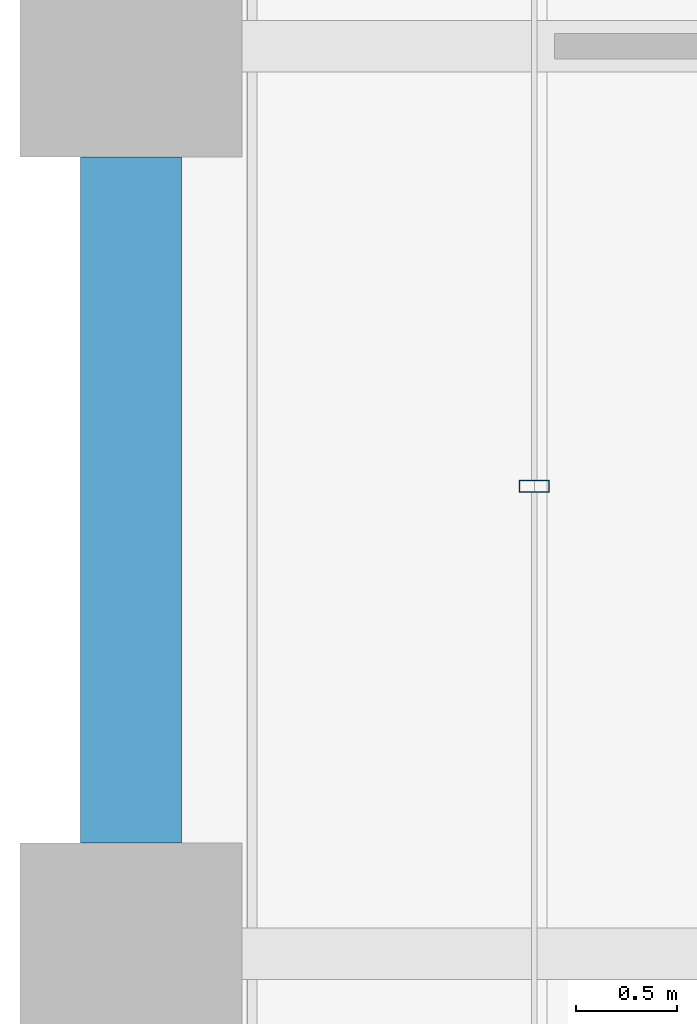
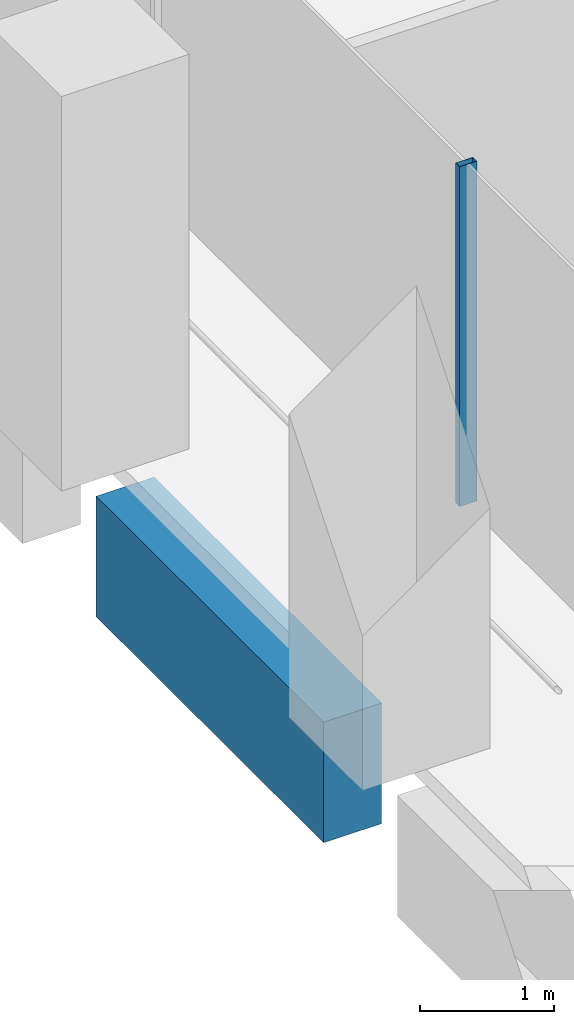
# One storey, part 12 of 56: 1 beam, 1 member, 1 element without a shape of its own.
"""IFC4 building model written with IfcOpenShell, lengths in metres."""

import ifcopenshell
import ifcopenshell.guid

model = None  # the IFC model being written
_history = None  # IfcOwnerHistory: only IFC2X3 demands one
_inside = {}  # id of a spatial element -> (the spatial element, [elements in it])
_under = {}  # id of a project, library or spatial element -> (it, [spatial elements below it])
_declared = {}  # id of a project -> (the project, [libraries it declares])
_typed = {}  # id of a type object -> (the type object, [elements of that type])
_made_of = {}  # id of a material, layer set ... -> (it, [elements and type objects made of it])


def new_model(schema):
    """Start an empty IFC model of exactly this schema.

    Asked for "IFC4X3", IfcOpenShell would pick the latest addendum, in which some entities
    have other attributes; the version numbers below select the first issue.
    IFC2X3 requires an IfcOwnerHistory on every rooted entity: one is made here for all.
    """
    global model, _history
    if schema == "IFC4X3":
        model = ifcopenshell.file(schema_version=(4, 3, 0, 0))
    else:
        model = ifcopenshell.file(schema=schema)
    _inside.clear()
    _under.clear()
    _declared.clear()
    _typed.clear()
    _made_of.clear()
    _history = None
    if model.schema == "IFC2X3":
        org = make("IfcOrganization", Name="unknown")
        user = make(
            "IfcPersonAndOrganization",
            ThePerson=make("IfcPerson", FamilyName="unknown"),
            TheOrganization=org,
        )
        app = make(
            "IfcApplication",
            ApplicationDeveloper=org,
            Version="unknown",
            ApplicationFullName="unknown",
            ApplicationIdentifier="unknown",
        )
        _history = make(
            "IfcOwnerHistory",
            OwningUser=user,
            OwningApplication=app,
            ChangeAction="ADDED",
            CreationDate=0,
        )
    return model


def make(cls, **values):
    """One entity of the class cls with the attributes given. An attribute that is None is left unset."""
    return model.create_entity(
        cls, **{name: value for name, value in values.items() if value is not None}
    )


def rooted(cls, **values):
    """An entity with a GlobalId (a new one), such as an element, a storey or a relation."""
    return make(cls, GlobalId=ifcopenshell.guid.new(), OwnerHistory=_history, **values)


def si_unit(unit_type, name, prefix=None):
    """IfcSIUnit, for example si_unit("LENGTHUNIT", "METRE", prefix="MILLI")."""
    return make("IfcSIUnit", UnitType=unit_type, Prefix=prefix, Name=name)


def assignment(units):
    """IfcUnitAssignment: the units of a project."""
    return None if units is None else make("IfcUnitAssignment", Units=units)


def point(xyz):
    """IfcCartesianPoint."""
    return None if xyz is None else make("IfcCartesianPoint", Coordinates=xyz)


def direction(xyz):
    """IfcDirection."""
    return None if xyz is None else make("IfcDirection", DirectionRatios=xyz)


def frame(location, z_axis=None, x_axis=None):
    """IfcAxis2Placement3D, a coordinate frame: its origin and axes. An axis left out is left unset."""
    return make(
        "IfcAxis2Placement3D",
        Location=point(location),
        Axis=direction(z_axis),
        RefDirection=direction(x_axis),
    )


def frame_2d(location, x_axis=None):
    """IfcAxis2Placement2D, a coordinate frame in the plane: its origin and x axis."""
    return make(
        "IfcAxis2Placement2D", Location=point(location), RefDirection=direction(x_axis)
    )


def origin():
    """The frame at (0, 0, 0) with its axes left unset."""
    return frame((0.0, 0.0, 0.0))


def origin_2d():
    """The frame at (0, 0) in the plane with its x axis left unset."""
    return frame_2d((0.0, 0.0))


def place(relative_to, where):
    """IfcLocalPlacement: puts the frame where relative to a parent placement (None: the world)."""
    return make(
        "IfcLocalPlacement", PlacementRelTo=relative_to, RelativePlacement=where
    )


def context(
    kind, dimensions, precision=None, world=None, true_north=None, identifier=None
):
    """IfcGeometricRepresentationContext, for example the 3D "Model" context."""
    return make(
        "IfcGeometricRepresentationContext",
        ContextIdentifier=identifier,
        ContextType=kind,
        CoordinateSpaceDimension=dimensions,
        Precision=precision,
        WorldCoordinateSystem=world,
        TrueNorth=true_north,
    )


def subcontext(parent, identifier, kind, view, scale=None):
    """IfcGeometricRepresentationSubContext, for example "Body" below "Model"."""
    return make(
        "IfcGeometricRepresentationSubContext",
        ContextIdentifier=identifier,
        ContextType=kind,
        ParentContext=parent,
        TargetScale=scale,
        TargetView=view,
    )


def project(units=None, contexts=None):
    """IfcProject with its units and contexts."""
    return rooted(
        "IfcProject",
        Name="project",
        RepresentationContexts=contexts,
        UnitsInContext=assignment(units),
    )


def spatial(cls, under=None, at=None, **own):
    """A site, building, storey or space (cls), placed at a placement, below another one or the project."""
    s = rooted(cls, ObjectPlacement=at, **own)
    if under is not None:
        _under.setdefault(under.id(), (under, []))[1].append(s)
    return s


def profile(cls, at=None, kind="AREA", **sizes):
    """A parametric profile (cls). Its sizes go by their IFC names, for example OverallWidth=200.0."""
    return make(cls, ProfileType=kind, Position=at, **sizes)


def rectangle(**sizes):
    """IfcRectangleProfileDef."""
    return profile("IfcRectangleProfileDef", **sizes)


def hollow_rectangle(**sizes):
    """IfcRectangleHollowProfileDef."""
    return profile("IfcRectangleHollowProfileDef", **sizes)


def extrude(swept, where, along, depth):
    """IfcExtrudedAreaSolid: the profile swept, set in the frame where, extruded along a direction by depth."""
    return make(
        "IfcExtrudedAreaSolid",
        SweptArea=swept,
        Position=where,
        ExtrudedDirection=direction(along),
        Depth=depth,
    )


def shape(context_of_items, identifier, shape_type, items):
    """IfcShapeRepresentation: the items that make up one representation, for example the "Body"."""
    return make(
        "IfcShapeRepresentation",
        ContextOfItems=context_of_items,
        RepresentationIdentifier=identifier,
        RepresentationType=shape_type,
        Items=items,
    )


def material(Name=None, Category=None):
    """IfcMaterial."""
    return make("IfcMaterial", Name=Name, Category=Category)


def material_profile(
    of_material, cross_section, Name=None, Category=None, Priority=None
):
    """IfcMaterialProfile: a cross section and its material."""
    return make(
        "IfcMaterialProfile",
        Name=Name,
        Material=of_material,
        Profile=cross_section,
        Priority=Priority,
        Category=Category,
    )


def profile_set(profiles, Name=None, composite=None):
    """IfcMaterialProfileSet."""
    return make(
        "IfcMaterialProfileSet",
        Name=Name,
        MaterialProfiles=profiles,
        CompositeProfile=composite,
    )


def made_of(thing, what):
    """Note that an element or type object is made of a material, layer set ...; save() writes the relation."""
    if what is not None:
        _made_of.setdefault(what.id(), (what, []))[1].append(thing)
    return thing


def type_object(cls, material=None, **own):
    """A type object (cls), such as IfcWallType, which elements share."""
    return made_of(rooted(cls, **own), material)


def element(
    cls,
    number,
    at=None,
    inside=None,
    cuts=None,
    type_object=None,
    material=None,
    context=None,
    identifier="Body",
    shape_type=None,
    held_by="IfcProductDefinitionShape",
    body=None,
    shapes=None,
    **own,
):
    """One element of the class cls, such as IfcWall. Its Tag is "e" and its number.

    at: its placement. inside: the storey or other place that contains it. cuts: it is an
    opening in that element (IfcRelVoidsElement). A single representation is given by context,
    identifier, shape_type and body (its items); several are given by shapes. held_by: the class
    of the entity that holds the representations. save() writes the other relations.
    """
    e = rooted(cls, Tag="e%d" % number, ObjectPlacement=at, **own)
    if body is not None:
        shapes = [shape(context, identifier, shape_type, body)]
    if shapes is not None:
        e.Representation = make(held_by, Representations=shapes)
    if inside is not None:
        _inside.setdefault(inside.id(), (inside, []))[1].append(e)
    if cuts is not None:
        rooted(
            "IfcRelVoidsElement", RelatingBuildingElement=cuts, RelatedOpeningElement=e
        )
    if type_object is not None:
        _typed.setdefault(type_object.id(), (type_object, []))[1].append(e)
    return made_of(e, material)


def aggregate(whole, parts):
    """IfcRelAggregates: a whole, such as a stair, and the parts it consists of."""
    return rooted("IfcRelAggregates", RelatingObject=whole, RelatedObjects=parts)


def save(model, path):
    """Write the relations noted so far, then the file.

    IfcRelAggregates (storeys below a building ...), IfcRelContainedInSpatialStructure (elements
    in a storey), IfcRelDefinesByType, IfcRelAssociatesMaterial and IfcRelDeclares: one each for
    every whole, place, type object, material and project.
    """
    for whole, parts in _under.values():
        aggregate(whole, parts)
    for where, things in _inside.values():
        rooted(
            "IfcRelContainedInSpatialStructure",
            RelatedElements=things,
            RelatingStructure=where,
        )
    for kind, things in _typed.values():
        rooted("IfcRelDefinesByType", RelatedObjects=things, RelatingType=kind)
    for what, things in _made_of.values():
        rooted("IfcRelAssociatesMaterial", RelatedObjects=things, RelatingMaterial=what)
    for by, libraries in _declared.values():
        rooted("IfcRelDeclares", RelatingContext=by, RelatedDefinitions=libraries)
    model.write(path)


model = new_model("IFC4")

# Units and contexts
model_context = context("Model", 3, precision=1e-05, world=origin(), true_north=direction((0.0, 1.0)))
body_context = subcontext(model_context, "Body", "Model", "MODEL_VIEW")
ifc_project = project(units=[si_unit("LENGTHUNIT", "METRE"), si_unit("AREAUNIT", "SQUARE_METRE"), si_unit("VOLUMEUNIT", "CUBIC_METRE"), si_unit("PLANEANGLEUNIT", "RADIAN"), si_unit("MASSUNIT", "GRAM", prefix="KILO")], contexts=[model_context])

# Site, building, storey
site_placement = place(None, origin())
site = spatial("IfcSite", under=ifc_project, at=site_placement, CompositionType="ELEMENT")
building_placement = place(site_placement, origin())
building = spatial("IfcBuilding", under=site, at=building_placement, Name="Altepetl Exchange Towers", CompositionType="ELEMENT")
storey_placement = place(building_placement, frame((0.0, 0.0, 54.60009765625)))
storey = spatial("IfcBuildingStorey", under=building, at=storey_placement, Name="L12", CompositionType="ELEMENT", Elevation=54.60009765625)

# Curtain wall, member
ifc_material_1 = material(Name="Aluminium 6063-T6 glazing", Category="aluminium")
curtain_wall_type = type_object("IfcCurtainWallType", Name="Loggia glazing system", PredefinedType="NOTDEFINED", material=ifc_material_1)
curtain_wall_placement = place(storey_placement, origin())
curtain_wall = element("IfcCurtainWall", 1, at=curtain_wall_placement, inside=storey, type_object=curtain_wall_type, Name="CW1 run", PredefinedType="NOTDEFINED")
ifc_material_2 = material(Name="Aluminium 6063-T6", Category="aluminium")
ifc_material_profile_1 = material_profile(ifc_material_2, hollow_rectangle(XDim=0.06005859375, YDim=0.14990234375, WallThickness=0.0029296875, at=origin_2d()), Name="Mullion 60x150 aluminium")
ifc_profile_set_1 = profile_set([ifc_material_profile_1], Name="Aluminium 6063-T6")
member_type = type_object("IfcMemberType", Name="Mullion 60x150 aluminium", PredefinedType="MULLION", material=ifc_profile_set_1)
member_placement = place(storey_placement, frame((29.0, 51.81787109375, 0.0), z_axis=(0.0, 0.0, 1.0), x_axis=(0.0, -1.0, 0.0)))
member = element("IfcMember", 2, at=member_placement, type_object=member_type, Name="MU1 mullion", PredefinedType="MULLION", context=body_context, shape_type="SweptSolid", body=[
    extrude(hollow_rectangle(XDim=0.06005859375, YDim=0.14990234375, WallThickness=0.0029296875, at=origin_2d()), origin(), (0.0, 0.0, 1.0), 3.099853515625),
])
aggregate(curtain_wall, [member])

# Beam
ifc_material_3 = material(Name="Concrete C50/60 precast with tezontle facing", Category="concrete")
ifc_material_profile_2 = material_profile(ifc_material_3, rectangle(XDim=0.5, YDim=1.10009765625, at=origin_2d()), Name="500 x 1100")
ifc_profile_set_2 = profile_set([ifc_material_profile_2], Name="Concrete C50/60 precast with tezontle facing")
beam_type = type_object("IfcBeamType", Name="Spandrel beam 500x1100 tezontle", PredefinedType="SPANDREL", material=ifc_profile_set_2)
beam_placement = place(storey_placement, frame((27.0, 53.449951171875, -0.7001953125), z_axis=(0.0, -1.0, 0.0), x_axis=(1.0, 0.0, 0.0)))
element("IfcBeam", 3, at=beam_placement, inside=storey, type_object=beam_type, Name="sp:A:L12:039", PredefinedType="SPANDREL", context=body_context, shape_type="SweptSolid", body=[
    extrude(rectangle(XDim=0.5, YDim=1.10009765625, at=origin_2d()), origin(), (0.0, 0.0, 1.0), 3.39990234375),
])

save(model, "model.ifc")
